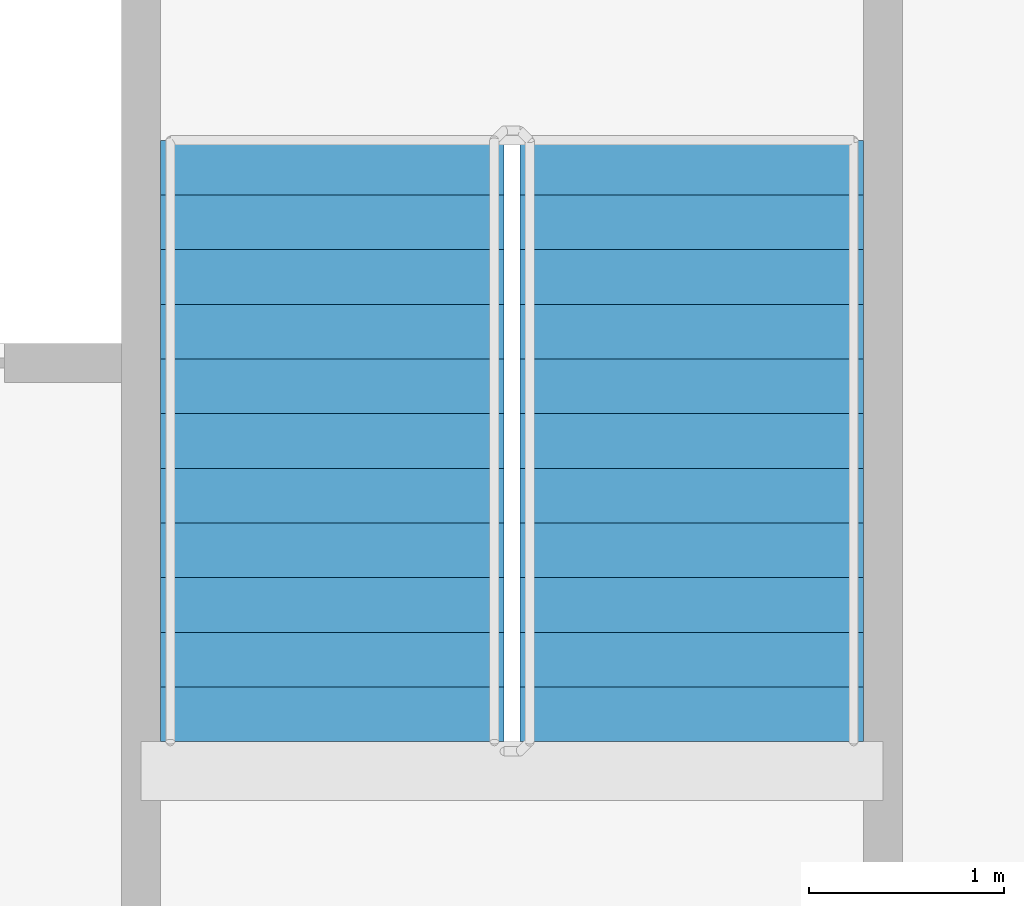
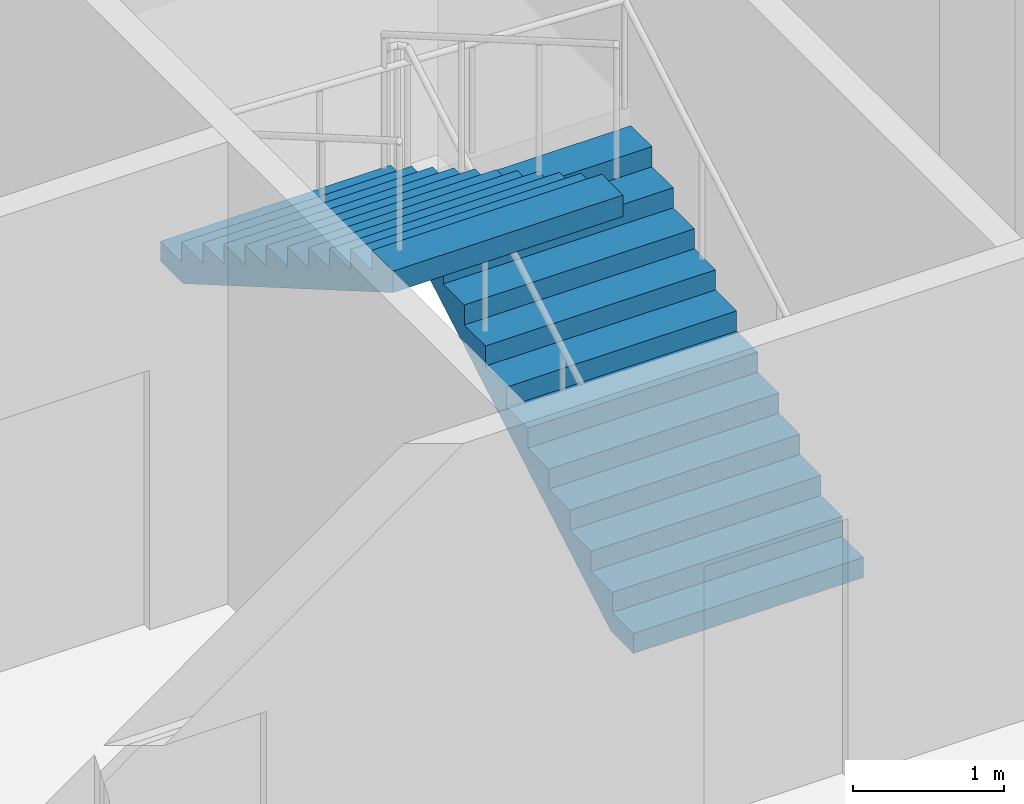
# One storey, part 10 of 15: 2 stair flights, 1 element without a shape of its own.
"""IFC4 building model written with IfcOpenShell, lengths in metres."""

from ifc_helpers import new_model, si_unit, direction, frame, origin, place, context, subcontext, project, spatial, faceted_brep, material, type_object, element, aggregate, save


model = new_model("IFC4")

# Units and contexts
model_context = context("Model", 3, precision=1e-05, world=origin(), true_north=direction((0.0, 1.0)))
body_context = subcontext(model_context, "Body", "Model", "MODEL_VIEW")
ifc_project = project(units=[si_unit("LENGTHUNIT", "METRE"), si_unit("AREAUNIT", "SQUARE_METRE"), si_unit("VOLUMEUNIT", "CUBIC_METRE"), si_unit("PLANEANGLEUNIT", "RADIAN"), si_unit("MASSUNIT", "GRAM", prefix="KILO")], contexts=[model_context])

# Site, building, storey
site_placement = place(None, origin())
site = spatial("IfcSite", under=ifc_project, at=site_placement, CompositionType="ELEMENT")
building_placement = place(site_placement, origin())
building = spatial("IfcBuilding", under=site, at=building_placement, Name="Tarsis Ring Headquarters", CompositionType="ELEMENT")
storey_placement = place(building_placement, frame((0.0, 0.0, 59.5)))
storey = spatial("IfcBuildingStorey", under=building, at=storey_placement, Name="L12", CompositionType="ELEMENT", Elevation=59.5)

# Stair, stair flights
ifc_material_1 = material(Name="Core stair 1760")
stair_type = type_object("IfcStairType", Name="Core stair 1760", PredefinedType="HALF_TURN_STAIR", material=ifc_material_1)
stair_placement = place(storey_placement, origin())
stair = element("IfcStair", 1, at=stair_placement, inside=storey, type_object=stair_type, Name="L12 Exit stair B", PredefinedType="HALF_TURN_STAIR")
ifc_material_2 = material(Name="Concrete C40/50", Category="concrete")
stair_flight_type = type_object("IfcStairFlightType", Name="Core stair flight 1760", PredefinedType="STRAIGHT", material=ifc_material_2)
stair_flight_1_placement = place(storey_placement, frame((5.419921875, 3.659912109375, 0.0), z_axis=(0.0, 0.0, 1.0), x_axis=(0.0, 1.0, 0.0)))
stair_flight_1 = element("IfcStairFlight", 2, at=stair_flight_1_placement, type_object=stair_flight_type, Name="Stair ST2 flight 1", NumberOfRisers=12, NumberOfTreads=11, PredefinedType="STRAIGHT", RiserHeight=0.1625, TreadLength=0.28, context=body_context, shape_type="Brep", body=[
    faceted_brep([(0.0, 0.8798828125, 0.0), (0.0, 0.8798828125, 0.16259765625), (0.280029296875, 0.8798828125, 0.16259765625), (0.280029296875, 0.8798828125, 0.324951171875), (0.56005859375, 0.8798828125, 0.324951171875), (0.56005859375, 0.8798828125, 0.487548828125), (0.840087890625, 0.8798828125, 0.487548828125), (0.840087890625, 0.8798828125, 0.64990234375), (1.1201171875, 0.8798828125, 0.64990234375), (1.1201171875, 0.8798828125, 0.8125), (1.39990234375, 0.8798828125, 0.8125), (1.39990234375, 0.8798828125, 0.97509765625), (1.679931640625, 0.8798828125, 0.97509765625), (1.679931640625, 0.8798828125, 1.137451171875), (1.9599609375, 0.8798828125, 1.137451171875), (1.9599609375, 0.8798828125, 1.300048828125), (2.239990234375, 0.8798828125, 1.300048828125), (2.239990234375, 0.8798828125, 1.46240234375), (2.52001953125, 0.8798828125, 1.46240234375), (2.52001953125, 0.8798828125, 1.625), (2.800048828125, 0.8798828125, 1.625), (2.800048828125, 0.8798828125, 1.78759765625), (3.080078125, 0.8798828125, 1.78759765625), (3.080078125, 0.8798828125, 1.6142578125), (0.298583984375, 0.8798828125, 0.0), (0.298583984375, -0.8798828125, 0.0), (3.080078125, -0.8798828125, 1.6142578125), (3.080078125, -0.8798828125, 1.78759765625), (2.800048828125, -0.8798828125, 1.78759765625), (2.800048828125, -0.8798828125, 1.625), (2.52001953125, -0.8798828125, 1.625), (2.52001953125, -0.8798828125, 1.46240234375), (2.239990234375, -0.8798828125, 1.46240234375), (2.239990234375, -0.8798828125, 1.300048828125), (1.9599609375, -0.8798828125, 1.300048828125), (1.9599609375, -0.8798828125, 1.137451171875), (1.679931640625, -0.8798828125, 1.137451171875), (1.679931640625, -0.8798828125, 0.97509765625), (1.39990234375, -0.8798828125, 0.97509765625), (1.39990234375, -0.8798828125, 0.8125), (1.1201171875, -0.8798828125, 0.8125), (1.1201171875, -0.8798828125, 0.64990234375), (0.840087890625, -0.8798828125, 0.64990234375), (0.840087890625, -0.8798828125, 0.487548828125), (0.56005859375, -0.8798828125, 0.487548828125), (0.56005859375, -0.8798828125, 0.324951171875), (0.280029296875, -0.8798828125, 0.324951171875), (0.280029296875, -0.8798828125, 0.16259765625), (0.0, -0.8798828125, 0.16259765625), (0.0, -0.8798828125, 0.0), (0.0, -0.43994140625, 0.16259765625), (0.0, -0.43994140625, 0.0), (0.0, 0.0, 0.16259765625), (0.0, 0.0, 0.0), (0.0, 0.43994140625, 0.16259765625), (0.0, 0.43994140625, 0.0), (0.280029296875, -0.43994140625, 0.16259765625), (0.280029296875, 0.0, 0.16259765625), (0.280029296875, 0.43994140625, 0.16259765625), (0.280029296875, -0.43994140625, 0.324951171875), (0.280029296875, 0.0, 0.324951171875), (0.280029296875, 0.43994140625, 0.324951171875), (0.56005859375, -0.43994140625, 0.324951171875), (0.56005859375, 0.0, 0.324951171875), (0.56005859375, 0.43994140625, 0.324951171875), (0.56005859375, -0.43994140625, 0.487548828125), (0.56005859375, 0.0, 0.487548828125), (0.56005859375, 0.43994140625, 0.487548828125), (0.840087890625, -0.43994140625, 0.487548828125), (0.840087890625, 0.0, 0.487548828125), (0.840087890625, 0.43994140625, 0.487548828125), (0.840087890625, -0.43994140625, 0.64990234375), (0.840087890625, 0.0, 0.64990234375), (0.840087890625, 0.43994140625, 0.64990234375), (1.1201171875, -0.43994140625, 0.64990234375), (1.1201171875, 0.0, 0.64990234375), (1.1201171875, 0.43994140625, 0.64990234375), (1.1201171875, -0.43994140625, 0.8125), (1.1201171875, 0.0, 0.8125), (1.1201171875, 0.43994140625, 0.8125), (1.39990234375, -0.43994140625, 0.8125), (1.39990234375, 0.0, 0.8125), (1.39990234375, 0.43994140625, 0.8125), (1.39990234375, -0.43994140625, 0.97509765625), (1.39990234375, 0.0, 0.97509765625), (1.39990234375, 0.43994140625, 0.97509765625), (1.679931640625, -0.43994140625, 0.97509765625), (1.679931640625, 0.0, 0.97509765625), (1.679931640625, 0.43994140625, 0.97509765625), (1.679931640625, -0.43994140625, 1.137451171875), (1.679931640625, 0.0, 1.137451171875), (1.679931640625, 0.43994140625, 1.137451171875), (1.9599609375, -0.43994140625, 1.137451171875), (1.9599609375, 0.0, 1.137451171875), (1.9599609375, 0.43994140625, 1.137451171875), (1.9599609375, -0.43994140625, 1.300048828125), (1.9599609375, 0.0, 1.300048828125), (1.9599609375, 0.43994140625, 1.300048828125), (2.239990234375, -0.43994140625, 1.300048828125), (2.239990234375, 0.0, 1.300048828125), (2.239990234375, 0.43994140625, 1.300048828125), (2.239990234375, -0.43994140625, 1.46240234375), (2.239990234375, 0.0, 1.46240234375), (2.239990234375, 0.43994140625, 1.46240234375), (2.52001953125, -0.43994140625, 1.46240234375), (2.52001953125, 0.0, 1.46240234375), (2.52001953125, 0.43994140625, 1.46240234375), (2.52001953125, -0.43994140625, 1.625), (2.52001953125, 0.0, 1.625), (2.52001953125, 0.43994140625, 1.625), (2.800048828125, -0.43994140625, 1.625), (2.800048828125, 0.0, 1.625), (2.800048828125, 0.43994140625, 1.625), (2.800048828125, -0.43994140625, 1.78759765625), (2.800048828125, 0.0, 1.78759765625), (2.800048828125, 0.43994140625, 1.78759765625), (3.080078125, -0.43994140625, 1.78759765625), (3.080078125, 0.0, 1.78759765625), (3.080078125, 0.43994140625, 1.78759765625), (3.080078125, -0.43994140625, 1.6142578125), (3.080078125, 0.0, 1.6142578125), (3.080078125, 0.43994140625, 1.6142578125), (0.298583984375, -0.43994140625, 0.0), (0.298583984375, 0.0, 0.0), (0.298583984375, 0.43994140625, 0.0)], [[[0, 1, 2, 3, 4, 5, 6, 7, 8, 9, 10, 11, 12, 13, 14, 15, 16, 17, 18, 19, 20, 21, 22, 23, 24]], [[25, 26, 27, 28, 29, 30, 31, 32, 33, 34, 35, 36, 37, 38, 39, 40, 41, 42, 43, 44, 45, 46, 47, 48, 49]], [[49, 48, 50, 51]], [[51, 50, 52, 53]], [[53, 52, 54, 55]], [[55, 54, 1, 0]], [[48, 47, 56, 50]], [[50, 56, 57, 52]], [[52, 57, 58, 54]], [[54, 58, 2, 1]], [[47, 46, 59, 56]], [[56, 59, 60, 57]], [[57, 60, 61, 58]], [[58, 61, 3, 2]], [[46, 45, 62, 59]], [[59, 62, 63, 60]], [[60, 63, 64, 61]], [[61, 64, 4, 3]], [[45, 44, 65, 62]], [[62, 65, 66, 63]], [[63, 66, 67, 64]], [[64, 67, 5, 4]], [[44, 43, 68, 65]], [[65, 68, 69, 66]], [[66, 69, 70, 67]], [[67, 70, 6, 5]], [[43, 42, 71, 68]], [[68, 71, 72, 69]], [[69, 72, 73, 70]], [[70, 73, 7, 6]], [[42, 41, 74, 71]], [[71, 74, 75, 72]], [[72, 75, 76, 73]], [[73, 76, 8, 7]], [[41, 40, 77, 74]], [[74, 77, 78, 75]], [[75, 78, 79, 76]], [[76, 79, 9, 8]], [[40, 39, 80, 77]], [[77, 80, 81, 78]], [[78, 81, 82, 79]], [[79, 82, 10, 9]], [[39, 38, 83, 80]], [[80, 83, 84, 81]], [[81, 84, 85, 82]], [[82, 85, 11, 10]], [[38, 37, 86, 83]], [[83, 86, 87, 84]], [[84, 87, 88, 85]], [[85, 88, 12, 11]], [[37, 36, 89, 86]], [[86, 89, 90, 87]], [[87, 90, 91, 88]], [[88, 91, 13, 12]], [[36, 35, 92, 89]], [[89, 92, 93, 90]], [[90, 93, 94, 91]], [[91, 94, 14, 13]], [[35, 34, 95, 92]], [[92, 95, 96, 93]], [[93, 96, 97, 94]], [[94, 97, 15, 14]], [[34, 33, 98, 95]], [[95, 98, 99, 96]], [[96, 99, 100, 97]], [[97, 100, 16, 15]], [[33, 32, 101, 98]], [[98, 101, 102, 99]], [[99, 102, 103, 100]], [[100, 103, 17, 16]], [[32, 31, 104, 101]], [[101, 104, 105, 102]], [[102, 105, 106, 103]], [[103, 106, 18, 17]], [[31, 30, 107, 104]], [[104, 107, 108, 105]], [[105, 108, 109, 106]], [[106, 109, 19, 18]], [[30, 29, 110, 107]], [[107, 110, 111, 108]], [[108, 111, 112, 109]], [[109, 112, 20, 19]], [[29, 28, 113, 110]], [[110, 113, 114, 111]], [[111, 114, 115, 112]], [[112, 115, 21, 20]], [[28, 27, 116, 113]], [[113, 116, 117, 114]], [[114, 117, 118, 115]], [[115, 118, 22, 21]], [[27, 26, 119, 116]], [[116, 119, 120, 117]], [[117, 120, 121, 118]], [[118, 121, 23, 22]], [[26, 25, 122, 119]], [[119, 122, 123, 120]], [[120, 123, 124, 121]], [[121, 124, 24, 23]], [[25, 49, 51, 122]], [[122, 51, 53, 123]], [[123, 53, 55, 124]], [[124, 55, 0, 24]]]),
])
stair_flight_2_placement = place(storey_placement, frame((3.580078125, 6.739990234375, 1.949951171875), z_axis=(0.0, 0.0, 1.0), x_axis=(0.0, -1.0, 0.0)))
stair_flight_2 = element("IfcStairFlight", 3, at=stair_flight_2_placement, type_object=stair_flight_type, Name="Stair ST2 flight 2", NumberOfRisers=12, NumberOfTreads=11, PredefinedType="STRAIGHT", RiserHeight=0.1625, TreadLength=0.28, context=body_context, shape_type="Brep", body=[
    faceted_brep([(0.0, 0.8798828125, 0.0), (0.0, 0.8798828125, 0.16259765625), (0.280029296875, 0.8798828125, 0.16259765625), (0.280029296875, 0.8798828125, 0.324951171875), (0.56005859375, 0.8798828125, 0.324951171875), (0.56005859375, 0.8798828125, 0.487548828125), (0.840087890625, 0.8798828125, 0.487548828125), (0.840087890625, 0.8798828125, 0.64990234375), (1.1201171875, 0.8798828125, 0.64990234375), (1.1201171875, 0.8798828125, 0.8125), (1.39990234375, 0.8798828125, 0.8125), (1.39990234375, 0.8798828125, 0.97509765625), (1.679931640625, 0.8798828125, 0.97509765625), (1.679931640625, 0.8798828125, 1.137451171875), (1.9599609375, 0.8798828125, 1.137451171875), (1.9599609375, 0.8798828125, 1.300048828125), (2.239990234375, 0.8798828125, 1.300048828125), (2.239990234375, 0.8798828125, 1.46240234375), (2.52001953125, 0.8798828125, 1.46240234375), (2.52001953125, 0.8798828125, 1.625), (2.800048828125, 0.8798828125, 1.625), (2.800048828125, 0.8798828125, 1.78759765625), (3.080078125, 0.8798828125, 1.78759765625), (3.080078125, 0.8798828125, 1.6142578125), (0.298583984375, 0.8798828125, 0.0), (0.298583984375, -0.8798828125, 0.0), (3.080078125, -0.8798828125, 1.6142578125), (3.080078125, -0.8798828125, 1.78759765625), (2.800048828125, -0.8798828125, 1.78759765625), (2.800048828125, -0.8798828125, 1.625), (2.52001953125, -0.8798828125, 1.625), (2.52001953125, -0.8798828125, 1.46240234375), (2.239990234375, -0.8798828125, 1.46240234375), (2.239990234375, -0.8798828125, 1.300048828125), (1.9599609375, -0.8798828125, 1.300048828125), (1.9599609375, -0.8798828125, 1.137451171875), (1.679931640625, -0.8798828125, 1.137451171875), (1.679931640625, -0.8798828125, 0.97509765625), (1.39990234375, -0.8798828125, 0.97509765625), (1.39990234375, -0.8798828125, 0.8125), (1.1201171875, -0.8798828125, 0.8125), (1.1201171875, -0.8798828125, 0.64990234375), (0.840087890625, -0.8798828125, 0.64990234375), (0.840087890625, -0.8798828125, 0.487548828125), (0.56005859375, -0.8798828125, 0.487548828125), (0.56005859375, -0.8798828125, 0.324951171875), (0.280029296875, -0.8798828125, 0.324951171875), (0.280029296875, -0.8798828125, 0.16259765625), (0.0, -0.8798828125, 0.16259765625), (0.0, -0.8798828125, 0.0), (0.0, -0.43994140625, 0.16259765625), (0.0, -0.43994140625, 0.0), (0.0, 0.0, 0.16259765625), (0.0, 0.0, 0.0), (0.0, 0.43994140625, 0.16259765625), (0.0, 0.43994140625, 0.0), (0.280029296875, -0.43994140625, 0.16259765625), (0.280029296875, 0.0, 0.16259765625), (0.280029296875, 0.43994140625, 0.16259765625), (0.280029296875, -0.43994140625, 0.324951171875), (0.280029296875, 0.0, 0.324951171875), (0.280029296875, 0.43994140625, 0.324951171875), (0.56005859375, -0.43994140625, 0.324951171875), (0.56005859375, 0.0, 0.324951171875), (0.56005859375, 0.43994140625, 0.324951171875), (0.56005859375, -0.43994140625, 0.487548828125), (0.56005859375, 0.0, 0.487548828125), (0.56005859375, 0.43994140625, 0.487548828125), (0.840087890625, -0.43994140625, 0.487548828125), (0.840087890625, 0.0, 0.487548828125), (0.840087890625, 0.43994140625, 0.487548828125), (0.840087890625, -0.43994140625, 0.64990234375), (0.840087890625, 0.0, 0.64990234375), (0.840087890625, 0.43994140625, 0.64990234375), (1.1201171875, -0.43994140625, 0.64990234375), (1.1201171875, 0.0, 0.64990234375), (1.1201171875, 0.43994140625, 0.64990234375), (1.1201171875, -0.43994140625, 0.8125), (1.1201171875, 0.0, 0.8125), (1.1201171875, 0.43994140625, 0.8125), (1.39990234375, -0.43994140625, 0.8125), (1.39990234375, 0.0, 0.8125), (1.39990234375, 0.43994140625, 0.8125), (1.39990234375, -0.43994140625, 0.97509765625), (1.39990234375, 0.0, 0.97509765625), (1.39990234375, 0.43994140625, 0.97509765625), (1.679931640625, -0.43994140625, 0.97509765625), (1.679931640625, 0.0, 0.97509765625), (1.679931640625, 0.43994140625, 0.97509765625), (1.679931640625, -0.43994140625, 1.137451171875), (1.679931640625, 0.0, 1.137451171875), (1.679931640625, 0.43994140625, 1.137451171875), (1.9599609375, -0.43994140625, 1.137451171875), (1.9599609375, 0.0, 1.137451171875), (1.9599609375, 0.43994140625, 1.137451171875), (1.9599609375, -0.43994140625, 1.300048828125), (1.9599609375, 0.0, 1.300048828125), (1.9599609375, 0.43994140625, 1.300048828125), (2.239990234375, -0.43994140625, 1.300048828125), (2.239990234375, 0.0, 1.300048828125), (2.239990234375, 0.43994140625, 1.300048828125), (2.239990234375, -0.43994140625, 1.46240234375), (2.239990234375, 0.0, 1.46240234375), (2.239990234375, 0.43994140625, 1.46240234375), (2.52001953125, -0.43994140625, 1.46240234375), (2.52001953125, 0.0, 1.46240234375), (2.52001953125, 0.43994140625, 1.46240234375), (2.52001953125, -0.43994140625, 1.625), (2.52001953125, 0.0, 1.625), (2.52001953125, 0.43994140625, 1.625), (2.800048828125, -0.43994140625, 1.625), (2.800048828125, 0.0, 1.625), (2.800048828125, 0.43994140625, 1.625), (2.800048828125, -0.43994140625, 1.78759765625), (2.800048828125, 0.0, 1.78759765625), (2.800048828125, 0.43994140625, 1.78759765625), (3.080078125, -0.43994140625, 1.78759765625), (3.080078125, 0.0, 1.78759765625), (3.080078125, 0.43994140625, 1.78759765625), (3.080078125, -0.43994140625, 1.6142578125), (3.080078125, 0.0, 1.6142578125), (3.080078125, 0.43994140625, 1.6142578125), (0.298583984375, -0.43994140625, 0.0), (0.298583984375, 0.0, 0.0), (0.298583984375, 0.43994140625, 0.0)], [[[0, 1, 2, 3, 4, 5, 6, 7, 8, 9, 10, 11, 12, 13, 14, 15, 16, 17, 18, 19, 20, 21, 22, 23, 24]], [[25, 26, 27, 28, 29, 30, 31, 32, 33, 34, 35, 36, 37, 38, 39, 40, 41, 42, 43, 44, 45, 46, 47, 48, 49]], [[49, 48, 50, 51]], [[51, 50, 52, 53]], [[53, 52, 54, 55]], [[55, 54, 1, 0]], [[48, 47, 56, 50]], [[50, 56, 57, 52]], [[52, 57, 58, 54]], [[54, 58, 2, 1]], [[47, 46, 59, 56]], [[56, 59, 60, 57]], [[57, 60, 61, 58]], [[58, 61, 3, 2]], [[46, 45, 62, 59]], [[59, 62, 63, 60]], [[60, 63, 64, 61]], [[61, 64, 4, 3]], [[45, 44, 65, 62]], [[62, 65, 66, 63]], [[63, 66, 67, 64]], [[64, 67, 5, 4]], [[44, 43, 68, 65]], [[65, 68, 69, 66]], [[66, 69, 70, 67]], [[67, 70, 6, 5]], [[43, 42, 71, 68]], [[68, 71, 72, 69]], [[69, 72, 73, 70]], [[70, 73, 7, 6]], [[42, 41, 74, 71]], [[71, 74, 75, 72]], [[72, 75, 76, 73]], [[73, 76, 8, 7]], [[41, 40, 77, 74]], [[74, 77, 78, 75]], [[75, 78, 79, 76]], [[76, 79, 9, 8]], [[40, 39, 80, 77]], [[77, 80, 81, 78]], [[78, 81, 82, 79]], [[79, 82, 10, 9]], [[39, 38, 83, 80]], [[80, 83, 84, 81]], [[81, 84, 85, 82]], [[82, 85, 11, 10]], [[38, 37, 86, 83]], [[83, 86, 87, 84]], [[84, 87, 88, 85]], [[85, 88, 12, 11]], [[37, 36, 89, 86]], [[86, 89, 90, 87]], [[87, 90, 91, 88]], [[88, 91, 13, 12]], [[36, 35, 92, 89]], [[89, 92, 93, 90]], [[90, 93, 94, 91]], [[91, 94, 14, 13]], [[35, 34, 95, 92]], [[92, 95, 96, 93]], [[93, 96, 97, 94]], [[94, 97, 15, 14]], [[34, 33, 98, 95]], [[95, 98, 99, 96]], [[96, 99, 100, 97]], [[97, 100, 16, 15]], [[33, 32, 101, 98]], [[98, 101, 102, 99]], [[99, 102, 103, 100]], [[100, 103, 17, 16]], [[32, 31, 104, 101]], [[101, 104, 105, 102]], [[102, 105, 106, 103]], [[103, 106, 18, 17]], [[31, 30, 107, 104]], [[104, 107, 108, 105]], [[105, 108, 109, 106]], [[106, 109, 19, 18]], [[30, 29, 110, 107]], [[107, 110, 111, 108]], [[108, 111, 112, 109]], [[109, 112, 20, 19]], [[29, 28, 113, 110]], [[110, 113, 114, 111]], [[111, 114, 115, 112]], [[112, 115, 21, 20]], [[28, 27, 116, 113]], [[113, 116, 117, 114]], [[114, 117, 118, 115]], [[115, 118, 22, 21]], [[27, 26, 119, 116]], [[116, 119, 120, 117]], [[117, 120, 121, 118]], [[118, 121, 23, 22]], [[26, 25, 122, 119]], [[119, 122, 123, 120]], [[120, 123, 124, 121]], [[121, 124, 24, 23]], [[25, 49, 51, 122]], [[122, 51, 53, 123]], [[123, 53, 55, 124]], [[124, 55, 0, 24]]]),
])
aggregate(stair, [stair_flight_1, stair_flight_2])

save(model, "model.ifc")
